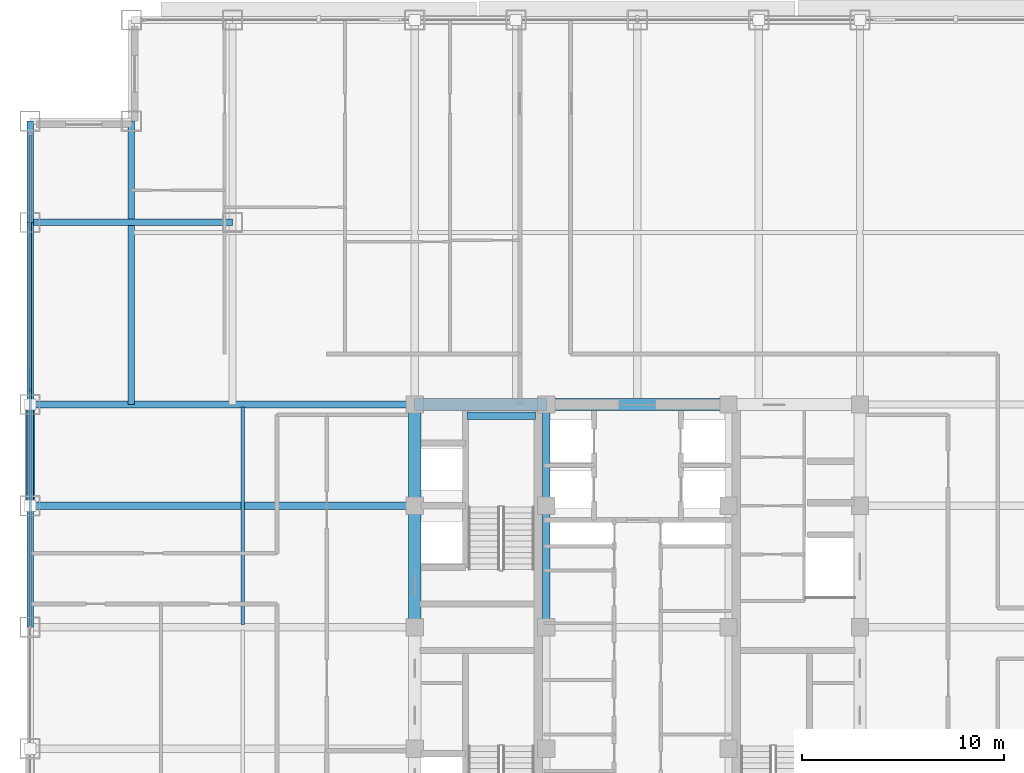
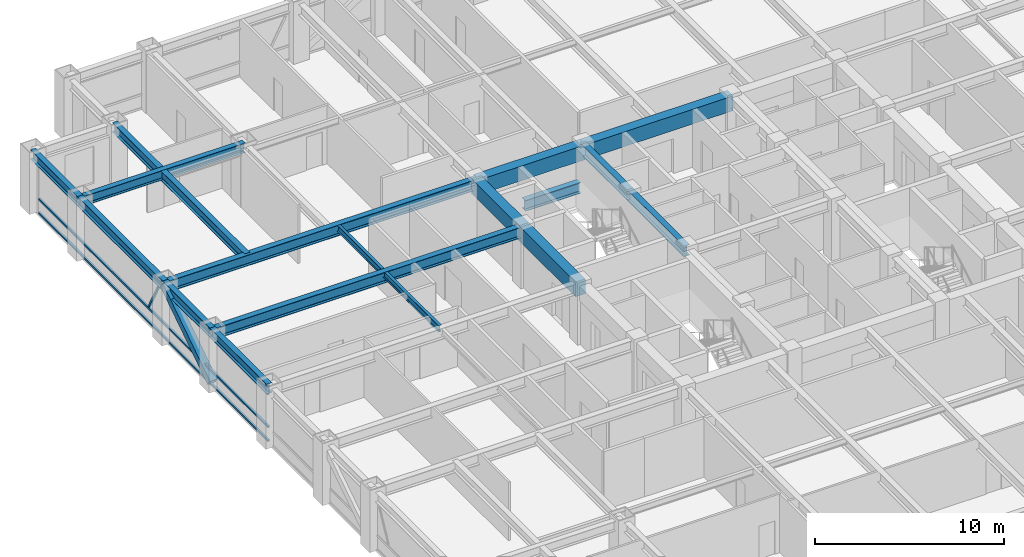
# One storey, part 11 of 29: 16 beams, 5 members, 1 element without a shape of its own.
"""IFC4 building model written with IfcOpenShell, lengths in metres."""

import ifcopenshell
import ifcopenshell.guid

model = None  # the IFC model being written
_history = None  # IfcOwnerHistory: only IFC2X3 demands one
_inside = {}  # id of a spatial element -> (the spatial element, [elements in it])
_under = {}  # id of a project, library or spatial element -> (it, [spatial elements below it])
_declared = {}  # id of a project -> (the project, [libraries it declares])
_typed = {}  # id of a type object -> (the type object, [elements of that type])
_made_of = {}  # id of a material, layer set ... -> (it, [elements and type objects made of it])


def new_model(schema):
    """Start an empty IFC model of exactly this schema.

    Asked for "IFC4X3", IfcOpenShell would pick the latest addendum, in which some entities
    have other attributes; the version numbers below select the first issue.
    IFC2X3 requires an IfcOwnerHistory on every rooted entity: one is made here for all.
    """
    global model, _history
    if schema == "IFC4X3":
        model = ifcopenshell.file(schema_version=(4, 3, 0, 0))
    else:
        model = ifcopenshell.file(schema=schema)
    _inside.clear()
    _under.clear()
    _declared.clear()
    _typed.clear()
    _made_of.clear()
    _history = None
    if model.schema == "IFC2X3":
        org = make("IfcOrganization", Name="unknown")
        user = make(
            "IfcPersonAndOrganization",
            ThePerson=make("IfcPerson", FamilyName="unknown"),
            TheOrganization=org,
        )
        app = make(
            "IfcApplication",
            ApplicationDeveloper=org,
            Version="unknown",
            ApplicationFullName="unknown",
            ApplicationIdentifier="unknown",
        )
        _history = make(
            "IfcOwnerHistory",
            OwningUser=user,
            OwningApplication=app,
            ChangeAction="ADDED",
            CreationDate=0,
        )
    return model


def make(cls, **values):
    """One entity of the class cls with the attributes given. An attribute that is None is left unset."""
    return model.create_entity(
        cls, **{name: value for name, value in values.items() if value is not None}
    )


def rooted(cls, **values):
    """An entity with a GlobalId (a new one), such as an element, a storey or a relation."""
    return make(cls, GlobalId=ifcopenshell.guid.new(), OwnerHistory=_history, **values)


def si_unit(unit_type, name, prefix=None):
    """IfcSIUnit, for example si_unit("LENGTHUNIT", "METRE", prefix="MILLI")."""
    return make("IfcSIUnit", UnitType=unit_type, Prefix=prefix, Name=name)


def assignment(units):
    """IfcUnitAssignment: the units of a project."""
    return None if units is None else make("IfcUnitAssignment", Units=units)


def point(xyz):
    """IfcCartesianPoint."""
    return None if xyz is None else make("IfcCartesianPoint", Coordinates=xyz)


def direction(xyz):
    """IfcDirection."""
    return None if xyz is None else make("IfcDirection", DirectionRatios=xyz)


def frame(location, z_axis=None, x_axis=None):
    """IfcAxis2Placement3D, a coordinate frame: its origin and axes. An axis left out is left unset."""
    return make(
        "IfcAxis2Placement3D",
        Location=point(location),
        Axis=direction(z_axis),
        RefDirection=direction(x_axis),
    )


def frame_2d(location, x_axis=None):
    """IfcAxis2Placement2D, a coordinate frame in the plane: its origin and x axis."""
    return make(
        "IfcAxis2Placement2D", Location=point(location), RefDirection=direction(x_axis)
    )


def origin():
    """The frame at (0, 0, 0) with its axes left unset."""
    return frame((0.0, 0.0, 0.0))


def origin_2d():
    """The frame at (0, 0) in the plane with its x axis left unset."""
    return frame_2d((0.0, 0.0))


def place(relative_to, where):
    """IfcLocalPlacement: puts the frame where relative to a parent placement (None: the world)."""
    return make(
        "IfcLocalPlacement", PlacementRelTo=relative_to, RelativePlacement=where
    )


def context(
    kind, dimensions, precision=None, world=None, true_north=None, identifier=None
):
    """IfcGeometricRepresentationContext, for example the 3D "Model" context."""
    return make(
        "IfcGeometricRepresentationContext",
        ContextIdentifier=identifier,
        ContextType=kind,
        CoordinateSpaceDimension=dimensions,
        Precision=precision,
        WorldCoordinateSystem=world,
        TrueNorth=true_north,
    )


def subcontext(parent, identifier, kind, view, scale=None):
    """IfcGeometricRepresentationSubContext, for example "Body" below "Model"."""
    return make(
        "IfcGeometricRepresentationSubContext",
        ContextIdentifier=identifier,
        ContextType=kind,
        ParentContext=parent,
        TargetScale=scale,
        TargetView=view,
    )


def project(units=None, contexts=None):
    """IfcProject with its units and contexts."""
    return rooted(
        "IfcProject",
        Name="project",
        RepresentationContexts=contexts,
        UnitsInContext=assignment(units),
    )


def spatial(cls, under=None, at=None, **own):
    """A site, building, storey or space (cls), placed at a placement, below another one or the project."""
    s = rooted(cls, ObjectPlacement=at, **own)
    if under is not None:
        _under.setdefault(under.id(), (under, []))[1].append(s)
    return s


def profile(cls, at=None, kind="AREA", **sizes):
    """A parametric profile (cls). Its sizes go by their IFC names, for example OverallWidth=200.0."""
    return make(cls, ProfileType=kind, Position=at, **sizes)


def rectangle(**sizes):
    """IfcRectangleProfileDef."""
    return profile("IfcRectangleProfileDef", **sizes)


def hollow_rectangle(**sizes):
    """IfcRectangleHollowProfileDef."""
    return profile("IfcRectangleHollowProfileDef", **sizes)


def i_section(**sizes):
    """IfcIShapeProfileDef."""
    return profile("IfcIShapeProfileDef", **sizes)


def extrude(swept, where, along, depth):
    """IfcExtrudedAreaSolid: the profile swept, set in the frame where, extruded along a direction by depth."""
    return make(
        "IfcExtrudedAreaSolid",
        SweptArea=swept,
        Position=where,
        ExtrudedDirection=direction(along),
        Depth=depth,
    )


def shape(context_of_items, identifier, shape_type, items):
    """IfcShapeRepresentation: the items that make up one representation, for example the "Body"."""
    return make(
        "IfcShapeRepresentation",
        ContextOfItems=context_of_items,
        RepresentationIdentifier=identifier,
        RepresentationType=shape_type,
        Items=items,
    )


def source(mapping_origin, context_of_items, identifier, shape_type, items):
    """IfcRepresentationMap: a shape defined once, which mapped items show again and again."""
    return make(
        "IfcRepresentationMap",
        MappingOrigin=mapping_origin,
        MappedRepresentation=shape(context_of_items, identifier, shape_type, items),
    )


def transform(
    local_origin,
    x_axis=None,
    y_axis=None,
    z_axis=None,
    scale=None,
    scale2=None,
    scale3=None,
    uniform=True,
):
    """IfcCartesianTransformationOperator3D, or its non-uniform kind. x_axis, y_axis, z_axis: its Axis1, 2, 3."""
    if uniform:
        return make(
            "IfcCartesianTransformationOperator3D",
            Axis1=direction(x_axis),
            Axis2=direction(y_axis),
            LocalOrigin=point(local_origin),
            Scale=scale,
            Axis3=direction(z_axis),
        )
    return make(
        "IfcCartesianTransformationOperator3DnonUniform",
        Axis1=direction(x_axis),
        Axis2=direction(y_axis),
        LocalOrigin=point(local_origin),
        Scale=scale,
        Axis3=direction(z_axis),
        Scale2=scale2,
        Scale3=scale3,
    )


def mapped(mapping_source, mapping_target):
    """IfcMappedItem: shows the shape of a source again, moved by a transform."""
    return make(
        "IfcMappedItem", MappingSource=mapping_source, MappingTarget=mapping_target
    )


def material(Name=None, Category=None):
    """IfcMaterial."""
    return make("IfcMaterial", Name=Name, Category=Category)


def material_profile(
    of_material, cross_section, Name=None, Category=None, Priority=None
):
    """IfcMaterialProfile: a cross section and its material."""
    return make(
        "IfcMaterialProfile",
        Name=Name,
        Material=of_material,
        Profile=cross_section,
        Priority=Priority,
        Category=Category,
    )


def profile_set(profiles, Name=None, composite=None):
    """IfcMaterialProfileSet."""
    return make(
        "IfcMaterialProfileSet",
        Name=Name,
        MaterialProfiles=profiles,
        CompositeProfile=composite,
    )


def made_of(thing, what):
    """Note that an element or type object is made of a material, layer set ...; save() writes the relation."""
    if what is not None:
        _made_of.setdefault(what.id(), (what, []))[1].append(thing)
    return thing


def type_object(cls, material=None, **own):
    """A type object (cls), such as IfcWallType, which elements share."""
    return made_of(rooted(cls, **own), material)


def element(
    cls,
    number,
    at=None,
    inside=None,
    cuts=None,
    type_object=None,
    material=None,
    context=None,
    identifier="Body",
    shape_type=None,
    held_by="IfcProductDefinitionShape",
    body=None,
    shapes=None,
    **own,
):
    """One element of the class cls, such as IfcWall. Its Tag is "e" and its number.

    at: its placement. inside: the storey or other place that contains it. cuts: it is an
    opening in that element (IfcRelVoidsElement). A single representation is given by context,
    identifier, shape_type and body (its items); several are given by shapes. held_by: the class
    of the entity that holds the representations. save() writes the other relations.
    """
    e = rooted(cls, Tag="e%d" % number, ObjectPlacement=at, **own)
    if body is not None:
        shapes = [shape(context, identifier, shape_type, body)]
    if shapes is not None:
        e.Representation = make(held_by, Representations=shapes)
    if inside is not None:
        _inside.setdefault(inside.id(), (inside, []))[1].append(e)
    if cuts is not None:
        rooted(
            "IfcRelVoidsElement", RelatingBuildingElement=cuts, RelatedOpeningElement=e
        )
    if type_object is not None:
        _typed.setdefault(type_object.id(), (type_object, []))[1].append(e)
    return made_of(e, material)


def aggregate(whole, parts):
    """IfcRelAggregates: a whole, such as a stair, and the parts it consists of."""
    return rooted("IfcRelAggregates", RelatingObject=whole, RelatedObjects=parts)


def save(model, path):
    """Write the relations noted so far, then the file.

    IfcRelAggregates (storeys below a building ...), IfcRelContainedInSpatialStructure (elements
    in a storey), IfcRelDefinesByType, IfcRelAssociatesMaterial and IfcRelDeclares: one each for
    every whole, place, type object, material and project.
    """
    for whole, parts in _under.values():
        aggregate(whole, parts)
    for where, things in _inside.values():
        rooted(
            "IfcRelContainedInSpatialStructure",
            RelatedElements=things,
            RelatingStructure=where,
        )
    for kind, things in _typed.values():
        rooted("IfcRelDefinesByType", RelatedObjects=things, RelatingType=kind)
    for what, things in _made_of.values():
        rooted("IfcRelAssociatesMaterial", RelatedObjects=things, RelatingMaterial=what)
    for by, libraries in _declared.values():
        rooted("IfcRelDeclares", RelatingContext=by, RelatedDefinitions=libraries)
    model.write(path)


model = new_model("IFC4")

# Units and contexts
model_context = context("Model", 3, precision=1e-05, world=origin(), true_north=direction((0.0, 1.0)))
body_context = subcontext(model_context, "Body", "Model", "MODEL_VIEW")
ifc_project = project(units=[si_unit("LENGTHUNIT", "METRE"), si_unit("AREAUNIT", "SQUARE_METRE"), si_unit("VOLUMEUNIT", "CUBIC_METRE"), si_unit("PLANEANGLEUNIT", "RADIAN"), si_unit("MASSUNIT", "GRAM", prefix="KILO")], contexts=[model_context])

# Site, building, storey
site_placement = place(None, origin())
site = spatial("IfcSite", under=ifc_project, at=site_placement, CompositionType="ELEMENT")
building_placement = place(site_placement, origin())
building = spatial("IfcBuilding", under=site, at=building_placement, Name="Khorayat Bourse Tower", CompositionType="ELEMENT")
storey_placement = place(building_placement, frame((0.0, 0.0, 239.10009765625)))
storey = spatial("IfcBuildingStorey", under=building, at=storey_placement, Name="L56", CompositionType="ELEMENT", Elevation=239.10009765625)

# Beams
ifc_material_1 = material(Name="Steel ASTM A992 Grade 50", Category="steel")
ifc_material_profile_1 = material_profile(ifc_material_1, i_section(OverallWidth=0.35498046875, OverallDepth=0.695068359375, WebThickness=0.015380859375, FlangeThickness=0.02490234375, FilletRadius=0.01806640625, at=origin_2d()), Name="W690X217")
ifc_profile_set_1 = profile_set([ifc_material_profile_1], Name="Steel ASTM A992 Grade 50")
beam_type_1 = type_object("IfcBeamType", Name="BM-GIRD-690", PredefinedType="BEAM", material=ifc_profile_set_1)
shared_shape_1 = source(origin(), body_context, "Body", "SweptSolid", [
    extrude(i_section(OverallWidth=0.35498046875, OverallDepth=0.695068359375, WebThickness=0.015380859375, FlangeThickness=0.02490234375, FilletRadius=0.01806640625, at=origin_2d()), origin(), (0.0, 0.0, 1.0), 5.0),
])
beam_1_placement = place(storey_placement, frame((-4.5, 6.0, 3.432373046875), z_axis=(0.0, 1.0, 0.0), x_axis=(-1.0, 0.0, 0.0)))
element("IfcBeam", 1, at=beam_1_placement, inside=storey, type_object=beam_type_1, Name="L56 BM-GIRD-690 BM-L56-CRX-08", PredefinedType="BEAM", context=body_context, shape_type="MappedRepresentation", body=[
    mapped(shared_shape_1, transform((0.0, 0.0, 0.0), scale=1.0)),
])
shared_shape_2 = source(origin(), body_context, "Body", "SweptSolid", [
    extrude(i_section(OverallWidth=0.35498046875, OverallDepth=0.695068359375, WebThickness=0.015380859375, FlangeThickness=0.02490234375, FilletRadius=0.01806640625, at=origin_2d()), origin(), (0.0, 0.0, 1.0), 6.0),
])
beam_2_placement = place(storey_placement, frame((-4.5, 0.0, 3.432373046875), z_axis=(0.0, 1.0, 0.0), x_axis=(-1.0, 0.0, 0.0)))
element("IfcBeam", 2, at=beam_2_placement, inside=storey, type_object=beam_type_1, Name="L56 BM-GIRD-690 BM-L56-CRX-07", PredefinedType="BEAM", context=body_context, shape_type="MappedRepresentation", body=[
    mapped(shared_shape_2, transform((0.0, 0.0, 0.0), scale=1.0)),
])
shared_shape_3 = source(origin(), body_context, "Body", "SweptSolid", [
    extrude(i_section(OverallWidth=0.35498046875, OverallDepth=0.695068359375, WebThickness=0.015380859375, FlangeThickness=0.02490234375, FilletRadius=0.01806640625, at=origin_2d()), origin(), (0.0, 0.0, 1.0), 3.39990234375),
])
beam_3_placement = place(storey_placement, frame((-8.419921875, 10.449951171875, 1.452392578125), z_axis=(1.0, 0.0, 0.0), x_axis=(0.0, 1.0, 0.0)))
element("IfcBeam", 3, at=beam_3_placement, inside=storey, type_object=beam_type_1, Name="L56 BM-GIRD-690 BM-L56-ST2L", PredefinedType="BEAM", context=body_context, shape_type="MappedRepresentation", body=[
    mapped(shared_shape_3, transform((0.0, 0.0, 0.0), scale=1.0)),
])
ifc_material_profile_2 = material_profile(ifc_material_1, i_section(OverallWidth=0.324951171875, OverallDepth=0.615966796875, WebThickness=0.013916015625, FlangeThickness=0.021484375, FilletRadius=0.01611328125, at=origin_2d()), Name="W610X174")
ifc_profile_set_2 = profile_set([ifc_material_profile_2], Name="Steel ASTM A992 Grade 50")
beam_type_2 = type_object("IfcBeamType", Name="BM-GIRD-610", PredefinedType="BEAM", material=ifc_profile_set_2)
shared_shape_4 = source(origin(), body_context, "Body", "SweptSolid", [
    extrude(i_section(OverallWidth=0.324951171875, OverallDepth=0.615966796875, WebThickness=0.013916015625, FlangeThickness=0.021484375, FilletRadius=0.01611328125, at=origin_2d()), origin(), (0.0, 0.0, 1.0), 10.0),
])
beam_4_placement = place(storey_placement, frame((-30.0, 20.0, 3.471923828125), z_axis=(1.0, 0.0, 0.0), x_axis=(0.0, 1.0, 0.0)))
element("IfcBeam", 4, at=beam_4_placement, inside=storey, type_object=beam_type_2, Name="L56 BM-GIRD-610 BM-L56-CNRX-095", PredefinedType="BEAM", context=body_context, shape_type="MappedRepresentation", body=[
    mapped(shared_shape_4, transform((0.0, 0.0, 0.0), scale=1.0)),
])
ifc_material_profile_3 = material_profile(ifc_material_1, i_section(OverallWidth=0.180908203125, OverallDepth=0.4169921875, WebThickness=0.010986328125, FlangeThickness=0.018310546875, FilletRadius=0.011962890625, at=origin_2d()), Name="W410X85")
ifc_profile_set_3 = profile_set([ifc_material_profile_3], Name="Steel ASTM A992 Grade 50")
beam_type_3 = type_object("IfcBeamType", Name="BM-JOIST-410", PredefinedType="JOIST", material=ifc_profile_set_3)
shared_shape_5 = source(origin(), body_context, "Body", "SweptSolid", [
    extrude(i_section(OverallWidth=0.180908203125, OverallDepth=0.4169921875, WebThickness=0.010986328125, FlangeThickness=0.018310546875, FilletRadius=0.011962890625, at=origin_2d()), origin(), (0.0, 0.0, 1.0), 10.740234375),
])
beam_5_placement = place(storey_placement, frame((-19.5, 0.1298828125, 3.5712890625), z_axis=(0.0, 1.0, 0.0), x_axis=(-1.0, 0.0, 0.0)))
element("IfcBeam", 5, at=beam_5_placement, inside=storey, type_object=beam_type_3, Name="L56 BM-JOIST-410 BM-L56-JSTY-103", PredefinedType="JOIST", context=body_context, shape_type="MappedRepresentation", body=[
    mapped(shared_shape_5, transform((0.0, 0.0, 0.0), scale=1.0)),
])
ifc_material_profile_4 = material_profile(ifc_material_1, i_section(OverallWidth=0.324951171875, OverallDepth=0.615966796875, WebThickness=0.013916015625, FlangeThickness=0.021484375, FilletRadius=0.01611328125, at=origin_2d()), Name="W610X174")
ifc_profile_set_4 = profile_set([ifc_material_profile_4], Name="Steel ASTM A992 Grade 50")
beam_type_4 = type_object("IfcBeamType", Name="BM-SPAN-610", PredefinedType="SPANDREL", material=ifc_profile_set_4)
shared_shape_6 = source(origin(), body_context, "Body", "SweptSolid", [
    extrude(i_section(OverallWidth=0.324951171875, OverallDepth=0.615966796875, WebThickness=0.013916015625, FlangeThickness=0.021484375, FilletRadius=0.01611328125, at=origin_2d()), origin(), (0.0, 0.0, 1.0), 9.0),
])
beam_6_placement = place(storey_placement, frame((-30.0, 11.0, 3.471923828125), z_axis=(0.0, 1.0, 0.0), x_axis=(-1.0, 0.0, 0.0)))
element("IfcBeam", 6, at=beam_6_placement, inside=storey, type_object=beam_type_4, Name="L56 BM-SPAN-610 BM-L56-SPN-055", PredefinedType="SPANDREL", context=body_context, shape_type="MappedRepresentation", body=[
    mapped(shared_shape_6, transform((0.0, 0.0, 0.0), scale=1.0)),
])
shared_shape_7 = source(origin(), body_context, "Body", "SweptSolid", [
    extrude(i_section(OverallWidth=0.324951171875, OverallDepth=0.615966796875, WebThickness=0.013916015625, FlangeThickness=0.021484375, FilletRadius=0.01611328125, at=origin_2d()), origin(), (0.0, 0.0, 1.0), 5.0),
])
for number, where, z_axis, x_axis, name in (
    (7, (-30.0, 20.0, 3.471923828125), (0.0, 1.0, 0.0), (-1.0, 0.0, 0.0), "L56 BM-SPAN-610 BM-L56-SPN-054"),
    (8, (-30.0, 6.0, 3.471923828125), (0.0, 1.0, 0.0), (-1.0, 0.0, 0.0), "L56 BM-SPAN-610 BM-L56-SPN-056"),
):
    element("IfcBeam", number, at=place(storey_placement, frame(where, z_axis=z_axis, x_axis=x_axis)), inside=storey, type_object=beam_type_4, Name=name, PredefinedType="SPANDREL", context=body_context, shape_type="MappedRepresentation", body=[
        mapped(shared_shape_7, transform((0.0, 0.0, 0.0), scale=1.0)),
    ])
shared_shape_8 = source(origin(), body_context, "Body", "SweptSolid", [
    extrude(i_section(OverallWidth=0.324951171875, OverallDepth=0.615966796875, WebThickness=0.013916015625, FlangeThickness=0.021484375, FilletRadius=0.01611328125, at=origin_2d()), origin(), (0.0, 0.0, 1.0), 6.0),
])
beam_7_placement = place(storey_placement, frame((-30.0, 0.0, 3.471923828125), z_axis=(0.0, 1.0, 0.0), x_axis=(-1.0, 0.0, 0.0)))
element("IfcBeam", 9, at=beam_7_placement, inside=storey, type_object=beam_type_4, Name="L56 BM-SPAN-610 BM-L56-SPN-057", PredefinedType="SPANDREL", context=body_context, shape_type="MappedRepresentation", body=[
    mapped(shared_shape_8, transform((0.0, 0.0, 0.0), scale=1.0)),
])
ifc_material_2 = material(Name="Concrete C60/75", Category="concrete")
ifc_material_profile_5 = material_profile(ifc_material_2, rectangle(XDim=0.60009765625, YDim=0.949951171875, at=origin_2d()), Name="RC 600x950")
ifc_profile_set_5 = profile_set([ifc_material_profile_5], Name="Concrete C60/75")
beam_type_5 = type_object("IfcBeamType", Name="BM-COUP-950", PredefinedType="BEAM", material=ifc_profile_set_5)
shared_shape_9 = source(origin(), body_context, "Body", "SweptSolid", [
    extrude(rectangle(XDim=0.60009765625, YDim=0.949951171875, at=origin_2d()), origin(), (0.0, 0.0, 1.0), 5.0),
])
beam_8_placement = place(storey_placement, frame((-11.0, 6.0, 3.304931640625), z_axis=(0.0, 1.0, 0.0), x_axis=(-1.0, 0.0, 0.0)))
element("IfcBeam", 10, at=beam_8_placement, inside=storey, type_object=beam_type_5, Name="L56 BM-COUP-950 BM-L56-CRX-04", PredefinedType="BEAM", context=body_context, shape_type="MappedRepresentation", body=[
    mapped(shared_shape_9, transform((0.0, 0.0, 0.0), scale=1.0)),
])
shared_shape_10 = source(origin(), body_context, "Body", "SweptSolid", [
    extrude(rectangle(XDim=0.60009765625, YDim=0.949951171875, at=origin_2d()), origin(), (0.0, 0.0, 1.0), 6.0),
])
beam_9_placement = place(storey_placement, frame((-11.0, 0.0, 3.304931640625), z_axis=(0.0, 1.0, 0.0), x_axis=(-1.0, 0.0, 0.0)))
element("IfcBeam", 11, at=beam_9_placement, inside=storey, type_object=beam_type_5, Name="L56 BM-COUP-950 BM-L56-CRX-03", PredefinedType="BEAM", context=body_context, shape_type="MappedRepresentation", body=[
    mapped(shared_shape_10, transform((0.0, 0.0, 0.0), scale=1.0)),
])
shared_shape_11 = source(origin(), body_context, "Body", "SweptSolid", [
    extrude(rectangle(XDim=0.60009765625, YDim=0.949951171875, at=origin_2d()), origin(), (0.0, 0.0, 1.0), 6.5),
])
beam_10_placement = place(storey_placement, frame((-11.0, 11.0, 3.304931640625), z_axis=(1.0, 0.0, 0.0), x_axis=(0.0, 1.0, 0.0)))
element("IfcBeam", 12, at=beam_10_placement, inside=storey, type_object=beam_type_5, Name="L56 BM-COUP-950 BM-L56-CRY-20", PredefinedType="BEAM", context=body_context, shape_type="MappedRepresentation", body=[
    mapped(shared_shape_11, transform((0.0, 0.0, 0.0), scale=1.0)),
])
shared_shape_12 = source(origin(), body_context, "Body", "SweptSolid", [
    extrude(rectangle(XDim=0.60009765625, YDim=0.949951171875, at=origin_2d()), origin(), (0.0, 0.0, 1.0), 9.0),
])
beam_11_placement = place(storey_placement, frame((-4.5, 11.0, 3.304931640625), z_axis=(1.0, 0.0, 0.0), x_axis=(0.0, 1.0, 0.0)))
element("IfcBeam", 13, at=beam_11_placement, inside=storey, type_object=beam_type_5, Name="L56 BM-COUP-950 BM-L56-CRY-21", PredefinedType="BEAM", context=body_context, shape_type="MappedRepresentation", body=[
    mapped(shared_shape_12, transform((0.0, 0.0, 0.0), scale=1.0)),
])
shared_shape_13 = source(origin(), body_context, "Body", "SweptSolid", [
    extrude(i_section(OverallWidth=0.35498046875, OverallDepth=0.695068359375, WebThickness=0.015380859375, FlangeThickness=0.02490234375, FilletRadius=0.01806640625, at=origin_2d()), origin(), (0.0, 0.0, 1.0), 19.0),
])
for number, where, z_axis, x_axis, name in (
    (14, (-30.0, 6.0, 3.432373046875), (1.0, 0.0, 0.0), (0.0, 1.0, 0.0), "L56 BM-GIRD-690 BM-L56-RADX-081"),
    (15, (-30.0, 11.0, 3.432373046875), (1.0, 0.0, 0.0), (0.0, 1.0, 0.0), "L56 BM-GIRD-690 BM-L56-RADX-083"),
):
    element("IfcBeam", number, at=place(storey_placement, frame(where, z_axis=z_axis, x_axis=x_axis)), inside=storey, type_object=beam_type_1, Name=name, PredefinedType="BEAM", context=body_context, shape_type="MappedRepresentation", body=[
        mapped(shared_shape_13, transform((0.0, 0.0, 0.0), scale=1.0)),
    ])
shared_shape_14 = source(origin(), body_context, "Body", "SweptSolid", [
    extrude(i_section(OverallWidth=0.324951171875, OverallDepth=0.615966796875, WebThickness=0.013916015625, FlangeThickness=0.021484375, FilletRadius=0.01611328125, at=origin_2d()), origin(), (0.0, 0.0, 1.0), 14.0),
])
beam_12_placement = place(storey_placement, frame((-25.0, 11.0, 3.471923828125), z_axis=(0.0, 1.0, 0.0), x_axis=(-1.0, 0.0, 0.0)))
element("IfcBeam", 16, at=beam_12_placement, inside=storey, type_object=beam_type_2, Name="L56 BM-GIRD-610 BM-L56-CNRY-089", PredefinedType="BEAM", context=body_context, shape_type="MappedRepresentation", body=[
    mapped(shared_shape_14, transform((0.0, 0.0, 0.0), scale=1.0)),
])

# Member
ifc_material_3 = material(Name="Steel EN 10025-4 S460M", Category="steel")
ifc_material_profile_6 = material_profile(ifc_material_3, hollow_rectangle(XDim=0.449951171875, YDim=0.449951171875, WallThickness=0.02490234375, at=origin_2d()), Name="HSS 450x450x25")
ifc_profile_set_6 = profile_set([ifc_material_profile_6], Name="Steel EN 10025-4 S460M")
member_type_1 = type_object("IfcMemberType", Name="MBR-TUBE-450", PredefinedType="BRACE", material=ifc_profile_set_6)
shared_shape_15 = source(origin(), body_context, "Body", "SweptSolid", [
    extrude(hollow_rectangle(XDim=0.449951171875, YDim=0.449951171875, WallThickness=0.02490234375, at=origin_2d()), origin(), (0.0, 0.0, 1.0), 5.979736328125),
])
member_1_placement = place(storey_placement, frame((-30.0, 6.0, 0.25), z_axis=(0.0, 0.836160261256, 0.548485202623), x_axis=(-1.0, 0.0, 0.0)))
element("IfcMember", 17, at=member_1_placement, inside=storey, type_object=member_type_1, Name="L56 Perimeter Tube Brace 06", PredefinedType="BRACE", context=body_context, shape_type="MappedRepresentation", body=[
    mapped(shared_shape_15, transform((0.0, 0.0, 0.0), scale=1.0)),
])

# Curtain wall, members
ifc_material_4 = material(Name="Aluminium EN AW-6063 T6", Category="aluminium")
curtain_wall_type = type_object("IfcCurtainWallType", Name="CW-SYS-03", PredefinedType="NOTDEFINED", material=ifc_material_4)
curtain_wall_placement = place(storey_placement, origin())
curtain_wall = element("IfcCurtainWall", 18, at=curtain_wall_placement, inside=storey, type_object=curtain_wall_type, Name="L56 Curtain Wall CW-L56-W1", PredefinedType="NOTDEFINED")
ifc_material_profile_7 = material_profile(ifc_material_4, hollow_rectangle(XDim=0.1201171875, YDim=0.1201171875, WallThickness=0.0048828125, at=origin_2d()), Name="ALU 120x120x5")
ifc_profile_set_7 = profile_set([ifc_material_profile_7], Name="Aluminium EN AW-6063 T6")
member_type_2 = type_object("IfcMemberType", Name="CWM-DIAG-120", PredefinedType="MULLION", material=ifc_profile_set_7)
shared_shape_16 = source(origin(), body_context, "Body", "SweptSolid", [
    extrude(hollow_rectangle(XDim=0.1201171875, YDim=0.1201171875, WallThickness=0.0048828125, at=origin_2d()), origin(), (0.0, 0.0, 1.0), 2.079345703125),
])
member_2_placement = place(storey_placement, frame((-30.0, 12.67919921875, 1.08984375), z_axis=(0.0, -0.465760949701, 0.884910581773), x_axis=(1.0, 0.0, 0.0)))
member_2 = element("IfcMember", 19, at=member_2_placement, type_object=member_type_2, Name="CW-L56-W1 Faceted Diagonal Mullion 2", PredefinedType="MULLION", context=body_context, shape_type="MappedRepresentation", body=[
    mapped(shared_shape_16, transform((0.0, 0.0, 0.0), scale=1.0)),
])
ifc_material_profile_8 = material_profile(ifc_material_4, hollow_rectangle(XDim=0.1201171875, YDim=0.1201171875, WallThickness=0.0048828125, at=origin_2d()), Name="ALU 120x120x5")
ifc_profile_set_8 = profile_set([ifc_material_profile_8], Name="Aluminium EN AW-6063 T6")
member_type_3 = type_object("IfcMemberType", Name="CWT-HORZ-120", PredefinedType="USERDEFINED", material=ifc_profile_set_8)
shared_shape_17 = source(origin(), body_context, "Body", "SweptSolid", [
    extrude(hollow_rectangle(XDim=0.1201171875, YDim=0.1201171875, WallThickness=0.0048828125, at=origin_2d()), origin(), (0.0, 0.0, 1.0), 24.27001953125),
])
member_3_placement = place(storey_placement, frame((-30.0, 0.06005859375, 0.059814453125), z_axis=(0.0, 1.0, 0.0), x_axis=(-1.0, 0.0, 0.0)))
member_3 = element("IfcMember", 20, at=member_3_placement, type_object=member_type_3, Name="CW-L56-W1 Horizontal Transom 2-1", ObjectType="TRANSOM", PredefinedType="USERDEFINED", context=body_context, shape_type="MappedRepresentation", body=[
    mapped(shared_shape_17, transform((0.0, 0.0, 0.0), scale=1.0)),
])
member_4_placement = place(storey_placement, frame((-30.0, 0.06005859375, 0.949951171875), z_axis=(0.0, 1.0, 0.0), x_axis=(-1.0, 0.0, 0.0)))
member_4 = element("IfcMember", 21, at=member_4_placement, type_object=member_type_3, Name="CW-L56-W1 Horizontal Transom 2-2", ObjectType="TRANSOM", PredefinedType="USERDEFINED", context=body_context, shape_type="MappedRepresentation", body=[
    mapped(shared_shape_17, transform((0.0, 0.0, 0.0), scale=1.0)),
])
member_5_placement = place(storey_placement, frame((-30.0, 0.06005859375, 3.06982421875), z_axis=(0.0, 1.0, 0.0), x_axis=(-1.0, 0.0, 0.0)))
member_5 = element("IfcMember", 22, at=member_5_placement, type_object=member_type_3, Name="CW-L56-W1 Horizontal Transom 2-3", ObjectType="TRANSOM", PredefinedType="USERDEFINED", context=body_context, shape_type="MappedRepresentation", body=[
    mapped(shared_shape_17, transform((0.0, 0.0, 0.0), scale=1.0)),
])
aggregate(curtain_wall, [member_3, member_4, member_5, member_2])

save(model, "model.ifc")
